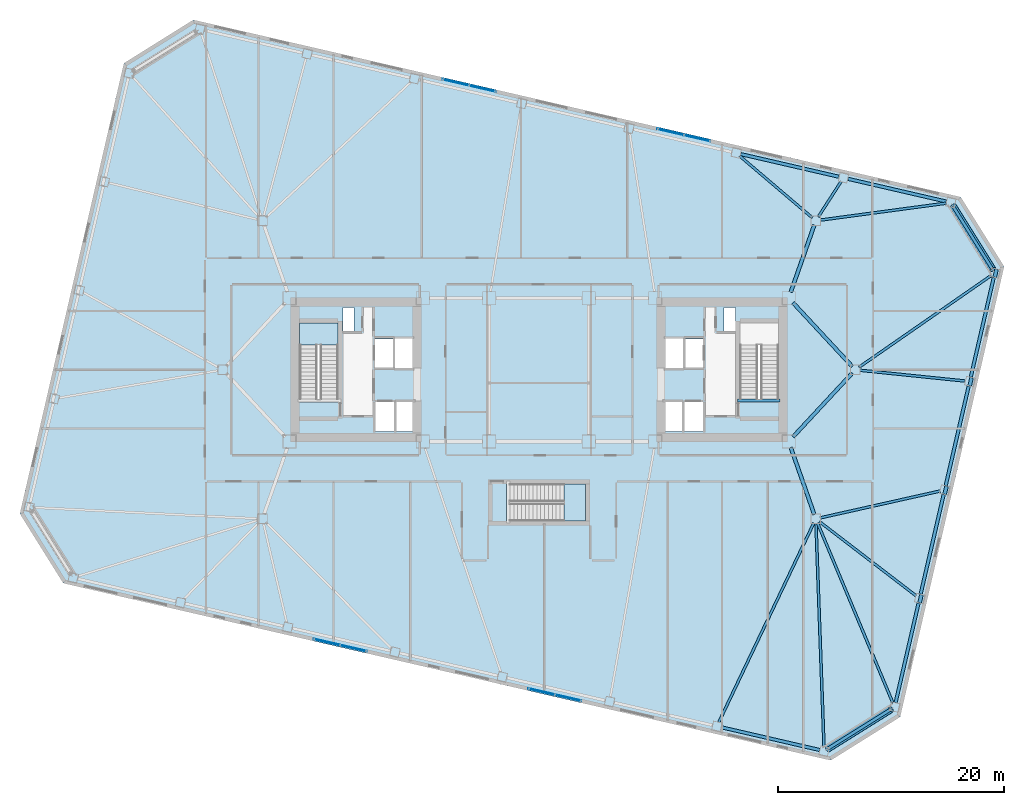
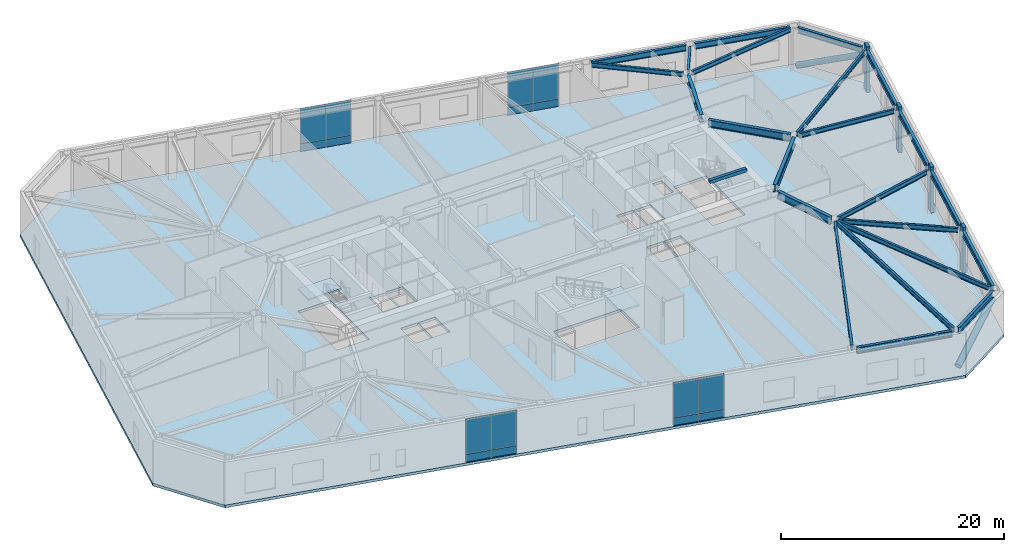
# One storey, part 8 of 20: 24 beams, 16 plates, 6 members, 3 slabs, 6 elements without a shape of their own.
"""IFC4 building model written with IfcOpenShell, lengths in metres."""

from ifc_helpers import new_model, si_unit, direction, frame, origin, origin_2d, place, context, subcontext, project, spatial, polyline, rectangle, hollow_circle, i_section, outline, extrude, material, layer, layer_set, material_profile, profile_set, type_object, element, aggregate, save


model = new_model("IFC4")

# Units and contexts
model_context = context("Model", 3, precision=1e-05, world=origin(), true_north=direction((0.0, 1.0)))
body_context = subcontext(model_context, "Body", "Model", "MODEL_VIEW")
ifc_project = project(units=[si_unit("LENGTHUNIT", "METRE"), si_unit("AREAUNIT", "SQUARE_METRE"), si_unit("VOLUMEUNIT", "CUBIC_METRE"), si_unit("PLANEANGLEUNIT", "RADIAN"), si_unit("MASSUNIT", "GRAM", prefix="KILO")], contexts=[model_context])

# Site, building, storey
site_placement = place(None, origin())
site = spatial("IfcSite", under=ifc_project, at=site_placement, CompositionType="ELEMENT")
building_placement = place(site_placement, origin())
building = spatial("IfcBuilding", under=site, at=building_placement, Name="Tavrogorsk Clinical Tower", CompositionType="ELEMENT")
storey_placement = place(building_placement, frame((0.0, 0.0, 23.39990234375)))
storey = spatial("IfcBuildingStorey", under=building, at=storey_placement, Name="L04", CompositionType="ELEMENT", Elevation=23.39990234375)

# Members
ifc_material_1 = material(Name="Structural steel S440", Category="steel")
ifc_material_profile_1 = material_profile(ifc_material_1, hollow_circle(Radius=0.304931640625, WallThickness=0.02490234375, at=origin_2d()), Name="CHS-610x25")
ifc_profile_set_1 = profile_set([ifc_material_profile_1], Name="Structural steel S440")
member_type_1 = type_object("IfcMemberType", Name="ExoBrace_CHS610", PredefinedType="BRACE", material=ifc_profile_set_1)
for number, where, z_axis, x_axis, name in (
    (1, (25.548828125, -33.5634765625, 0.4833984375), (0.757555520621, 0.473389900336, 0.449457045152), (-0.529932687483, 0.848039708231, 0.0), "L04 Corner Exoskeleton Brace S8-E1"),
    (2, (36.64453125, 14.496826171875, 0.4833984375), (0.473389900336, -0.757555520621, 0.449457045152), (0.848039708231, 0.529932687483, 0.0), "L04 Corner Exoskeleton Brace E5-N1"),
):
    element("IfcMember", number, at=place(storey_placement, frame(where, z_axis=z_axis, x_axis=x_axis)), inside=storey, type_object=member_type_1, Name=name, PredefinedType="BRACE", context=body_context, shape_type="SweptSolid", body=[
        extrude(hollow_circle(Radius=0.304931640625, WallThickness=0.02490234375, at=origin_2d()), origin(), (0.0, 0.0, 1.0), 7.416259765625),
    ])

# Beams
ifc_material_2 = material(Name="Structural steel S355", Category="steel")
ifc_material_profile_2 = material_profile(ifc_material_2, i_section(OverallWidth=0.219970703125, OverallDepth=0.5, WebThickness=0.012939453125, FlangeThickness=0.02001953125, at=origin_2d()), Name="B-500x220x13x20")
ifc_profile_set_2 = profile_set([ifc_material_profile_2], Name="Structural steel S355")
beam_type_1 = type_object("IfcBeamType", Name="FloorBeam_B500", PredefinedType="BEAM", material=ifc_profile_set_2)
beam_1_placement = place(storey_placement, frame((24.323486328125, -13.570068359375, 4.4501953125), z_axis=(-0.430503237889, -0.90258903282, 0.0), x_axis=(0.90258903282, -0.430503237889, 0.0)))
element("IfcBeam", 3, at=beam_1_placement, inside=storey, type_object=beam_type_1, Name="L04 Radial Floor Beam S7", PredefinedType="BEAM", context=body_context, shape_type="SweptSolid", body=[
    extrude(i_section(OverallWidth=0.219970703125, OverallDepth=0.5, WebThickness=0.012939453125, FlangeThickness=0.02001953125, at=origin_2d()), origin(), (0.0, 0.0, 1.0), 19.527587890625),
])
beam_2_placement = place(storey_placement, frame((24.5146484375, -13.609619140625, 4.4501953125), z_axis=(0.035968399295, -0.999352927775, 0.0), x_axis=(0.999352927775, 0.035968399295, 0.0)))
element("IfcBeam", 4, at=beam_2_placement, inside=storey, type_object=beam_type_1, Name="L04 Radial Floor Beam S8", PredefinedType="BEAM", context=body_context, shape_type="SweptSolid", body=[
    extrude(i_section(OverallWidth=0.219970703125, OverallDepth=0.5, WebThickness=0.012939453125, FlangeThickness=0.02001953125, at=origin_2d()), origin(), (0.0, 0.0, 1.0), 19.751953125),
])
beam_3_placement = place(storey_placement, frame((24.90625, 13.254638671875, 4.4501953125), z_axis=(0.991091561022, 0.133182272357, 0.0), x_axis=(-0.133182272357, 0.991091561022, 0.0)))
element("IfcBeam", 5, at=beam_3_placement, inside=storey, type_object=beam_type_1, Name="L04 Radial Floor Beam N1", PredefinedType="BEAM", context=body_context, shape_type="SweptSolid", body=[
    extrude(i_section(OverallWidth=0.219970703125, OverallDepth=0.5, WebThickness=0.012939453125, FlangeThickness=0.02001953125, at=origin_2d()), origin(), (0.0, 0.0, 1.0), 11.24072265625),
])
beam_4_placement = place(storey_placement, frame((24.722412109375, 13.54443359375, 4.4501953125), z_axis=(0.54237908978, 0.840133872052, 0.0), x_axis=(-0.840133872052, 0.54237908978, 0.0)))
element("IfcBeam", 6, at=beam_4_placement, inside=storey, type_object=beam_type_1, Name="L04 Radial Floor Beam N2", PredefinedType="BEAM", context=body_context, shape_type="SweptSolid", body=[
    extrude(i_section(OverallWidth=0.219970703125, OverallDepth=0.5, WebThickness=0.012939453125, FlangeThickness=0.02001953125, at=origin_2d()), origin(), (0.0, 0.0, 1.0), 3.70361328125),
])
beam_5_placement = place(storey_placement, frame((24.187744140625, 13.465576171875, 4.4501953125), z_axis=(-0.761805700094, 0.647805584496, 0.0), x_axis=(-0.647805584496, -0.761805700094, 0.0)))
element("IfcBeam", 7, at=beam_5_placement, inside=storey, type_object=beam_type_1, Name="L04 Radial Floor Beam N3", PredefinedType="BEAM", context=body_context, shape_type="SweptSolid", body=[
    extrude(i_section(OverallWidth=0.219970703125, OverallDepth=0.5, WebThickness=0.012939453125, FlangeThickness=0.02001953125, at=origin_2d()), origin(), (0.0, 0.0, 1.0), 8.431396484375),
])
beam_6_placement = place(storey_placement, frame((24.658447265625, -13.578125, 4.4501953125), z_axis=(0.386243430459, -0.922396884441, 0.0), x_axis=(0.922396884441, 0.386243430459, 0.0)))
element("IfcBeam", 8, at=beam_6_placement, inside=storey, type_object=beam_type_1, Name="L04 Radial Floor Beam E1", PredefinedType="BEAM", context=body_context, shape_type="SweptSolid", body=[
    extrude(i_section(OverallWidth=0.219970703125, OverallDepth=0.5, WebThickness=0.012939453125, FlangeThickness=0.02001953125, at=origin_2d()), origin(), (0.0, 0.0, 1.0), 17.243408203125),
])
beam_7_placement = place(storey_placement, frame((24.825439453125, -13.449462890625, 4.4501953125), z_axis=(0.7934457884, -0.608640929342, 0.0), x_axis=(0.608640929342, 0.7934457884, 0.0)))
element("IfcBeam", 9, at=beam_7_placement, inside=storey, type_object=beam_type_1, Name="L04 Radial Floor Beam E2", PredefinedType="BEAM", context=body_context, shape_type="SweptSolid", body=[
    extrude(i_section(OverallWidth=0.219970703125, OverallDepth=0.5, WebThickness=0.012939453125, FlangeThickness=0.02001953125, at=origin_2d()), origin(), (0.0, 0.0, 1.0), 10.769287109375),
])
beam_8_placement = place(storey_placement, frame((24.900146484375, -13.1103515625, 4.4501953125), z_axis=(0.975844140255, 0.218467878484, 0.0), x_axis=(-0.218467878484, 0.975844140255, 0.0)))
element("IfcBeam", 10, at=beam_8_placement, inside=storey, type_object=beam_type_1, Name="L04 Radial Floor Beam E3", PredefinedType="BEAM", context=body_context, shape_type="SweptSolid", body=[
    extrude(i_section(OverallWidth=0.219970703125, OverallDepth=0.5, WebThickness=0.012939453125, FlangeThickness=0.02001953125, at=origin_2d()), origin(), (0.0, 0.0, 1.0), 10.876708984375),
])
beam_9_placement = place(storey_placement, frame((28.407958984375, -0.041748046875, 4.4501953125), z_axis=(0.994791610226, -0.101929643501, 0.0), x_axis=(0.101929643501, 0.994791610226, 0.0)))
element("IfcBeam", 11, at=beam_9_placement, inside=storey, type_object=beam_type_1, Name="L04 Radial Floor Beam E4", PredefinedType="BEAM", context=body_context, shape_type="SweptSolid", body=[
    extrude(i_section(OverallWidth=0.219970703125, OverallDepth=0.5, WebThickness=0.012939453125, FlangeThickness=0.02001953125, at=origin_2d()), origin(), (0.0, 0.0, 1.0), 9.365234375),
])
beam_10_placement = place(storey_placement, frame((28.3369140625, 0.233642578125, 4.4501953125), z_axis=(0.82154295725, 0.570146620961, 0.0), x_axis=(-0.570146620961, 0.82154295725, 0.0)))
element("IfcBeam", 12, at=beam_10_placement, inside=storey, type_object=beam_type_1, Name="L04 Radial Floor Beam E5", PredefinedType="BEAM", context=body_context, shape_type="SweptSolid", body=[
    extrude(i_section(OverallWidth=0.219970703125, OverallDepth=0.5, WebThickness=0.012939453125, FlangeThickness=0.02001953125, at=origin_2d()), origin(), (0.0, 0.0, 1.0), 14.212646484375),
])

# Members
ifc_material_3 = material(Name="Precast concrete B45 with limestone cladding", Category="masonry")
ifc_material_profile_3 = material_profile(ifc_material_3, rectangle(XDim=0.320068359375, YDim=0.719970703125, at=origin_2d()), Name="LIMESTONE-FIN-320x720")
ifc_profile_set_3 = profile_set([ifc_material_profile_3], Name="Precast concrete B45 with limestone cladding")
member_type_2 = type_object("IfcMemberType", Name="LimestonePleatFin_320x720", PredefinedType="USERDEFINED", material=ifc_profile_set_3)
for number, where, z_axis, x_axis, name in (
    (13, (33.772216796875, -20.2705078125, 0.0), (0.0, 0.0, 1.0), (0.974370064785, -0.224951054344, 0.0), "L04 E Pleated Stone Fin 1"),
    (14, (35.990234375, -10.6630859375, 0.0), (0.0, 0.0, 1.0), (0.974370064785, -0.224951054344, 0.0), "L04 E Pleated Stone Fin 2"),
    (15, (38.208251953125, -1.055908203125, 0.0), (0.0, 0.0, 1.0), (0.974370064785, -0.224951054344, 0.0), "L04 E Pleated Stone Fin 3"),
    (16, (40.42626953125, 8.551513671875, 0.0), (0.0, 0.0, 1.0), (0.974370064785, -0.224951054344, 0.0), "L04 E Pleated Stone Fin 4"),
):
    element("IfcMember", number, at=place(storey_placement, frame(where, z_axis=z_axis, x_axis=x_axis)), inside=storey, type_object=member_type_2, Name=name, ObjectType="FIN", PredefinedType="USERDEFINED", context=body_context, shape_type="SweptSolid", body=[
        extrude(rectangle(XDim=0.320068359375, YDim=0.719970703125, at=origin_2d()), origin(), (0.0, 0.0, 1.0), 5.0),
    ])

# Beams
ifc_material_4 = material(Name="Structural steel S390", Category="steel")
ifc_material_profile_4 = material_profile(ifc_material_4, i_section(OverallWidth=0.320068359375, OverallDepth=0.800048828125, WebThickness=0.02001953125, FlangeThickness=0.033935546875, at=origin_2d()), Name="B-800x320x20x34")
ifc_profile_set_4 = profile_set([ifc_material_profile_4], Name="Structural steel S390")
beam_type_2 = type_object("IfcBeamType", Name="PrimaryGirder_B800", PredefinedType="USERDEFINED", material=ifc_profile_set_4)
for number, where, z_axis, x_axis, name in (
    (17, (24.364501953125, -12.81298828125, 4.300048828125), (-0.330668611543, 0.943746930771, 0.0), (-0.943746930771, -0.330668611543, 0.0), "L04 Spine Link Girder OPG-2"),
    (18, (24.364501953125, 12.81298828125, 4.300048828125), (-0.330668611543, -0.943746930771, 0.0), (0.943746930771, -0.330668611543, 0.0), "L04 Spine Link Girder OPG-4"),
):
    element("IfcBeam", number, at=place(storey_placement, frame(where, z_axis=z_axis, x_axis=x_axis)), inside=storey, type_object=beam_type_2, Name=name, ObjectType="GIRDER", PredefinedType="USERDEFINED", context=body_context, shape_type="SweptSolid", body=[
        extrude(i_section(OverallWidth=0.320068359375, OverallDepth=0.800048828125, WebThickness=0.02001953125, FlangeThickness=0.033935546875, at=origin_2d()), origin(), (0.0, 0.0, 1.0), 6.288330078125),
    ])
for number, where, z_axis, x_axis, name in (
    (19, (27.720947265625, -0.30029296875, 4.300048828125), (-0.680671250221, -0.732589004233, 0.0), (0.732589004233, -0.680671250221, 0.0), "L04 Spine Link Girder OPG-7"),
    (20, (27.720947265625, 0.30029296875, 4.300048828125), (-0.680671250221, 0.732589004233, 0.0), (-0.732589004233, -0.680671250221, 0.0), "L04 Spine Link Girder OPG-8"),
):
    element("IfcBeam", number, at=place(storey_placement, frame(where, z_axis=z_axis, x_axis=x_axis)), inside=storey, type_object=beam_type_2, Name=name, ObjectType="GIRDER", PredefinedType="USERDEFINED", context=body_context, shape_type="SweptSolid", body=[
        extrude(i_section(OverallWidth=0.320068359375, OverallDepth=0.800048828125, WebThickness=0.02001953125, FlangeThickness=0.033935546875, at=origin_2d()), origin(), (0.0, 0.0, 1.0), 7.697998046875),
    ])
ifc_material_5 = material(Name="Structural steel S390", Category="steel")
ifc_material_profile_5 = material_profile(ifc_material_5, i_section(OverallWidth=0.280029296875, OverallDepth=0.64990234375, WebThickness=0.01611328125, FlangeThickness=0.02490234375, at=origin_2d()), Name="B-650x280x16x25")
ifc_profile_set_5 = profile_set([ifc_material_profile_5], Name="Structural steel S390")
beam_type_3 = type_object("IfcBeamType", Name="SpandrelBeam_B650", PredefinedType="SPANDREL", material=ifc_profile_set_5)
beam_11_placement = place(storey_placement, frame((16.138427734375, -31.655517578125, 4.375), z_axis=(0.974372766602, -0.224939351168, 0.0), x_axis=(0.224939351168, 0.974372766602, 0.0)))
element("IfcBeam", 21, at=beam_11_placement, inside=storey, type_object=beam_type_3, Name="L04 Perimeter Spandrel S7-S8", PredefinedType="SPANDREL", context=body_context, shape_type="SweptSolid", body=[
    extrude(i_section(OverallWidth=0.280029296875, OverallDepth=0.64990234375, WebThickness=0.01611328125, FlangeThickness=0.02490234375, at=origin_2d()), origin(), (0.0, 0.0, 1.0), 8.9326171875),
])
beam_12_placement = place(storey_placement, frame((25.585693359375, -33.540283203125, 4.375), z_axis=(0.848061235793, 0.529898235839, 0.0), x_axis=(-0.529898235839, 0.848061235793, 0.0)))
element("IfcBeam", 22, at=beam_12_placement, inside=storey, type_object=beam_type_3, Name="L04 Perimeter Spandrel S8-E1", PredefinedType="SPANDREL", context=body_context, shape_type="SweptSolid", body=[
    extrude(i_section(OverallWidth=0.280029296875, OverallDepth=0.64990234375, WebThickness=0.01611328125, FlangeThickness=0.02490234375, at=origin_2d()), origin(), (0.0, 0.0, 1.0), 6.537841796875),
])
beam_13_placement = place(storey_placement, frame((31.56787109375, -29.462158203125, 4.375), z_axis=(0.224971881043, 0.974365256328, 0.0), x_axis=(-0.974365256328, 0.224971881043, 0.0)))
element("IfcBeam", 23, at=beam_13_placement, inside=storey, type_object=beam_type_3, Name="L04 Perimeter Spandrel E1-E2", PredefinedType="SPANDREL", context=body_context, shape_type="SweptSolid", body=[
    extrude(i_section(OverallWidth=0.280029296875, OverallDepth=0.64990234375, WebThickness=0.01611328125, FlangeThickness=0.02490234375, at=origin_2d()), origin(), (0.0, 0.0, 1.0), 9.044189453125),
])
for number, where, z_axis, x_axis, name in (
    (24, (33.785888671875, -19.85498046875, 4.375), (0.224946252597, 0.974371173343, 0.0), (-0.974371173343, 0.224946252597, 0.0), "L04 Perimeter Spandrel E2-E3"),
    (25, (36.00390625, -10.24755859375, 4.375), (0.224946252597, 0.974371173343, 0.0), (-0.974371173343, 0.224946252597, 0.0), "L04 Perimeter Spandrel E3-E4"),
):
    element("IfcBeam", number, at=place(storey_placement, frame(where, z_axis=z_axis, x_axis=x_axis)), inside=storey, type_object=beam_type_3, Name=name, PredefinedType="SPANDREL", context=body_context, shape_type="SweptSolid", body=[
        extrude(i_section(OverallWidth=0.280029296875, OverallDepth=0.64990234375, WebThickness=0.01611328125, FlangeThickness=0.02490234375, at=origin_2d()), origin(), (0.0, 0.0, 1.0), 9.0439453125),
    ])
beam_14_placement = place(storey_placement, frame((38.221923828125, -0.640380859375, 4.375), z_axis=(0.224971881043, 0.974365256328, 0.0), x_axis=(-0.974365256328, 0.224971881043, 0.0)))
element("IfcBeam", 26, at=beam_14_placement, inside=storey, type_object=beam_type_3, Name="L04 Perimeter Spandrel E4-E5", PredefinedType="SPANDREL", context=body_context, shape_type="SweptSolid", body=[
    extrude(i_section(OverallWidth=0.280029296875, OverallDepth=0.64990234375, WebThickness=0.01611328125, FlangeThickness=0.02490234375, at=origin_2d()), origin(), (0.0, 0.0, 1.0), 9.044189453125),
])
beam_15_placement = place(storey_placement, frame((40.132080078125, 8.91552734375, 4.375), z_axis=(-0.529925092475, 0.848044454239, 0.0), x_axis=(-0.848044454239, -0.529925092475, 0.0)))
element("IfcBeam", 27, at=beam_15_placement, inside=storey, type_object=beam_type_3, Name="L04 Perimeter Spandrel E5-N1", PredefinedType="SPANDREL", context=body_context, shape_type="SweptSolid", body=[
    extrude(i_section(OverallWidth=0.280029296875, OverallDepth=0.64990234375, WebThickness=0.01611328125, FlangeThickness=0.02490234375, at=origin_2d()), origin(), (0.0, 0.0, 1.0), 6.537841796875),
])
for number, where, z_axis, x_axis, name in (
    (28, (36.0537109375, 14.897705078125, 4.375), (-0.974366775889, 0.224965299645, 0.0), (-0.224965299645, -0.974366775889, 0.0), "L04 Perimeter Spandrel N1-N2"),
    (29, (26.554931640625, 17.090576171875, 4.375), (-0.974366775889, 0.224965299645, 0.0), (-0.224965299645, -0.974366775889, 0.0), "L04 Perimeter Spandrel N2-N3"),
):
    element("IfcBeam", number, at=place(storey_placement, frame(where, z_axis=z_axis, x_axis=x_axis)), inside=storey, type_object=beam_type_3, Name=name, PredefinedType="SPANDREL", context=body_context, shape_type="SweptSolid", body=[
        extrude(i_section(OverallWidth=0.280029296875, OverallDepth=0.64990234375, WebThickness=0.01611328125, FlangeThickness=0.02490234375, at=origin_2d()), origin(), (0.0, 0.0, 1.0), 8.9326171875),
    ])
ifc_material_6 = material(Name="Concrete B60", Category="concrete")
ifc_material_profile_6 = material_profile(ifc_material_6, rectangle(XDim=0.300048828125, YDim=0.35009765625, at=origin_2d()), Name="RC-SHB-300x350")
ifc_profile_set_6 = profile_set([ifc_material_profile_6], Name="Concrete B60")
beam_type_4 = type_object("IfcBeamType", Name="StairHeaderBeam_RC300x350", PredefinedType="BEAM", material=ifc_profile_set_6)
beam_16_placement = place(storey_placement, frame((17.550048828125, -2.719970703125, 4.8251953125), z_axis=(1.0, 0.0, 0.0), x_axis=(0.0, 1.0, 0.0)))
element("IfcBeam", 30, at=beam_16_placement, inside=storey, type_object=beam_type_4, Name="L05 ST-E Landing Header Beam", PredefinedType="BEAM", context=body_context, shape_type="SweptSolid", body=[
    extrude(rectangle(XDim=0.300048828125, YDim=0.35009765625, at=origin_2d()), origin(), (0.0, 0.0, 1.0), 3.800048828125),
])

# Curtain wall, plates
ifc_material_7 = material(Name="Anodised aluminium and triple IGU glazing", Category="aluminium")
ifc_layer_1 = layer(ifc_material_7, 0.179931640625)
ifc_layer_set_1 = layer_set([ifc_layer_1], Name="Anodised aluminium and triple IGU glazing")
curtain_wall_type_1 = type_object("IfcCurtainWallType", Name="CW3_SouthSlot", PredefinedType="NOTDEFINED", material=ifc_layer_set_1)
curtain_wall_1_placement = place(storey_placement, origin())
curtain_wall_1 = element("IfcCurtainWall", 31, at=curtain_wall_1_placement, inside=storey, type_object=curtain_wall_type_1, Name="L04 Curtain Wall CW-L04-S-SLOT-1", PredefinedType="NOTDEFINED")
ifc_material_8 = material(Name="Honed Podolsk limestone spandrel panel", Category="masonry")
ifc_layer_2 = layer(ifc_material_8, 0.080078125)
ifc_layer_set_2 = layer_set([ifc_layer_2], Name="Honed Podolsk limestone spandrel panel")
plate_type_1 = type_object("IfcPlateType", Name="CwSpandrelStonePanel_80", PredefinedType="CURTAIN_PANEL", material=ifc_layer_set_2)
plate_1_placement = place(storey_placement, frame((-18.79638671875, -24.113525390625, 0.002197265625), z_axis=(0.0, 0.0, 1.0), x_axis=(0.974370046851, -0.224951132027, 0.0)))
plate_1 = element("IfcPlate", 32, at=plate_1_placement, type_object=plate_type_1, Name="CW-L04-S-SLOT-1 Stone Spandrel Panel 1", PredefinedType="CURTAIN_PANEL", context=body_context, shape_type="SweptSolid", body=[
    extrude(rectangle(XDim=2.39208984375, YDim=0.080078125, at=origin_2d()), origin(), (0.0, 0.0, 1.0), 0.8359375),
])
plate_2_placement = place(storey_placement, frame((-16.442138671875, -24.656982421875, 0.002197265625), z_axis=(0.0, 0.0, 1.0), x_axis=(0.974370046851, -0.224951132027, 0.0)))
plate_2 = element("IfcPlate", 33, at=plate_2_placement, type_object=plate_type_1, Name="CW-L04-S-SLOT-1 Stone Spandrel Panel 2", PredefinedType="CURTAIN_PANEL", context=body_context, shape_type="SweptSolid", body=[
    extrude(rectangle(XDim=2.39208984375, YDim=0.080078125, at=origin_2d()), origin(), (0.0, 0.0, 1.0), 0.8359375),
])

curtain_wall_2_placement = place(storey_placement, origin())
curtain_wall_2 = element("IfcCurtainWall", 34, at=curtain_wall_2_placement, inside=storey, type_object=curtain_wall_type_1, Name="L04 Curtain Wall CW-L04-S-SLOT-2", PredefinedType="NOTDEFINED")
plate_3_placement = place(storey_placement, frame((0.201171875, -28.49951171875, 0.002197265625), z_axis=(0.0, 0.0, 1.0), x_axis=(0.974370102963, -0.224950888978, 0.0)))
plate_3 = element("IfcPlate", 35, at=plate_3_placement, type_object=plate_type_1, Name="CW-L04-S-SLOT-2 Stone Spandrel Panel 1", PredefinedType="CURTAIN_PANEL", context=body_context, shape_type="SweptSolid", body=[
    extrude(rectangle(XDim=2.39208984375, YDim=0.080078125, at=origin_2d()), origin(), (0.0, 0.0, 1.0), 0.8359375),
])
plate_4_placement = place(storey_placement, frame((2.55517578125, -29.04296875, 0.002197265625), z_axis=(0.0, 0.0, 1.0), x_axis=(0.974370102963, -0.224950888978, 0.0)))
plate_4 = element("IfcPlate", 36, at=plate_4_placement, type_object=plate_type_1, Name="CW-L04-S-SLOT-2 Stone Spandrel Panel 2", PredefinedType="CURTAIN_PANEL", context=body_context, shape_type="SweptSolid", body=[
    extrude(rectangle(XDim=2.39208984375, YDim=0.080078125, at=origin_2d()), origin(), (0.0, 0.0, 1.0), 0.8359375),
])

ifc_material_9 = material(Name="Anodised aluminium and triple IGU glazing", Category="aluminium")
ifc_layer_3 = layer(ifc_material_9, 0.179931640625)
ifc_layer_set_3 = layer_set([ifc_layer_3], Name="Anodised aluminium and triple IGU glazing")
curtain_wall_type_2 = type_object("IfcCurtainWallType", Name="CW2_NorthSlot", PredefinedType="NOTDEFINED", material=ifc_layer_set_3)
curtain_wall_3_placement = place(storey_placement, origin())
curtain_wall_3 = element("IfcCurtainWall", 37, at=curtain_wall_3_placement, inside=storey, type_object=curtain_wall_type_2, Name="L04 Curtain Wall CW-L04-N-SLOT-1", PredefinedType="NOTDEFINED")
plate_5_placement = place(storey_placement, frame((-5.001220703125, 24.8994140625, 0.002197265625), z_axis=(0.0, 0.0, 1.0), x_axis=(-0.974370102963, 0.224950888978, 0.0)))
plate_5 = element("IfcPlate", 38, at=plate_5_placement, type_object=plate_type_1, Name="CW-L04-N-SLOT-1 Stone Spandrel Panel 1", PredefinedType="CURTAIN_PANEL", context=body_context, shape_type="SweptSolid", body=[
    extrude(rectangle(XDim=2.39208984375, YDim=0.080078125, at=origin_2d()), origin(), (0.0, 0.0, 1.0), 0.8359375),
])
plate_6_placement = place(storey_placement, frame((-7.355224609375, 25.44287109375, 0.002197265625), z_axis=(0.0, 0.0, 1.0), x_axis=(-0.974370102963, 0.224950888978, 0.0)))
plate_6 = element("IfcPlate", 39, at=plate_6_placement, type_object=plate_type_1, Name="CW-L04-N-SLOT-1 Stone Spandrel Panel 2", PredefinedType="CURTAIN_PANEL", context=body_context, shape_type="SweptSolid", body=[
    extrude(rectangle(XDim=2.39208984375, YDim=0.080078125, at=origin_2d()), origin(), (0.0, 0.0, 1.0), 0.8359375),
])

curtain_wall_4_placement = place(storey_placement, origin())
curtain_wall_4 = element("IfcCurtainWall", 40, at=curtain_wall_4_placement, inside=storey, type_object=curtain_wall_type_2, Name="L04 Curtain Wall CW-L04-N-SLOT-2", PredefinedType="NOTDEFINED")
plate_7_placement = place(storey_placement, frame((13.996337890625, 20.513427734375, 0.002197265625), z_axis=(0.0, 0.0, 1.0), x_axis=(-0.974370046851, 0.224951132027, 0.0)))
plate_7 = element("IfcPlate", 41, at=plate_7_placement, type_object=plate_type_1, Name="CW-L04-N-SLOT-2 Stone Spandrel Panel 1", PredefinedType="CURTAIN_PANEL", context=body_context, shape_type="SweptSolid", body=[
    extrude(rectangle(XDim=2.39208984375, YDim=0.080078125, at=origin_2d()), origin(), (0.0, 0.0, 1.0), 0.8359375),
])
plate_8_placement = place(storey_placement, frame((11.642333984375, 21.05712890625, 0.002197265625), z_axis=(0.0, 0.0, 1.0), x_axis=(-0.974370046851, 0.224951132027, 0.0)))
plate_8 = element("IfcPlate", 42, at=plate_8_placement, type_object=plate_type_1, Name="CW-L04-N-SLOT-2 Stone Spandrel Panel 2", PredefinedType="CURTAIN_PANEL", context=body_context, shape_type="SweptSolid", body=[
    extrude(rectangle(XDim=2.39208984375, YDim=0.080078125, at=origin_2d()), origin(), (0.0, 0.0, 1.0), 0.8359375),
])

# Plate
ifc_material_10 = material(Name="Triple low-E argon insulated glass", Category="glass")
ifc_layer_4 = layer(ifc_material_10, 0.048095703125)
ifc_layer_set_4 = layer_set([ifc_layer_4], Name="Triple low-E argon insulated glass")
plate_type_2 = type_object("IfcPlateType", Name="CwVisionGlassPanel_48", PredefinedType="CURTAIN_PANEL", material=ifc_layer_set_4)
plate_9_placement = place(storey_placement, frame((-18.79638671875, -24.113525390625, 0.862060546875), z_axis=(0.0, 0.0, 1.0), x_axis=(0.974370046851, -0.224951132027, 0.0)))
plate_9 = element("IfcPlate", 43, at=plate_9_placement, type_object=plate_type_2, Name="CW-L04-S-SLOT-1 Glazing Panel 1", PredefinedType="CURTAIN_PANEL", context=body_context, shape_type="SweptSolid", body=[
    extrude(rectangle(XDim=2.39208984375, YDim=0.048095703125, at=origin_2d()), origin(), (0.0, 0.0, 1.0), 3.8359375),
])

plate_10_placement = place(storey_placement, frame((-16.442138671875, -24.656982421875, 0.862060546875), z_axis=(0.0, 0.0, 1.0), x_axis=(0.974370046851, -0.224951132027, 0.0)))
plate_10 = element("IfcPlate", 44, at=plate_10_placement, type_object=plate_type_2, Name="CW-L04-S-SLOT-1 Glazing Panel 2", PredefinedType="CURTAIN_PANEL", context=body_context, shape_type="SweptSolid", body=[
    extrude(rectangle(XDim=2.39208984375, YDim=0.048095703125, at=origin_2d()), origin(), (0.0, 0.0, 1.0), 3.8359375),
])

aggregate(curtain_wall_1, [plate_1, plate_9, plate_2, plate_10])

plate_11_placement = place(storey_placement, frame((0.201171875, -28.49951171875, 0.862060546875), z_axis=(0.0, 0.0, 1.0), x_axis=(0.974370102963, -0.224950888978, 0.0)))
plate_11 = element("IfcPlate", 45, at=plate_11_placement, type_object=plate_type_2, Name="CW-L04-S-SLOT-2 Glazing Panel 1", PredefinedType="CURTAIN_PANEL", context=body_context, shape_type="SweptSolid", body=[
    extrude(rectangle(XDim=2.39208984375, YDim=0.048095703125, at=origin_2d()), origin(), (0.0, 0.0, 1.0), 3.8359375),
])

plate_12_placement = place(storey_placement, frame((2.55517578125, -29.04296875, 0.862060546875), z_axis=(0.0, 0.0, 1.0), x_axis=(0.974370102963, -0.224950888978, 0.0)))
plate_12 = element("IfcPlate", 46, at=plate_12_placement, type_object=plate_type_2, Name="CW-L04-S-SLOT-2 Glazing Panel 2", PredefinedType="CURTAIN_PANEL", context=body_context, shape_type="SweptSolid", body=[
    extrude(rectangle(XDim=2.39208984375, YDim=0.048095703125, at=origin_2d()), origin(), (0.0, 0.0, 1.0), 3.8359375),
])

aggregate(curtain_wall_2, [plate_3, plate_11, plate_4, plate_12])

plate_13_placement = place(storey_placement, frame((-5.001220703125, 24.8994140625, 0.862060546875), z_axis=(0.0, 0.0, 1.0), x_axis=(-0.974370102963, 0.224950888978, 0.0)))
plate_13 = element("IfcPlate", 47, at=plate_13_placement, type_object=plate_type_2, Name="CW-L04-N-SLOT-1 Glazing Panel 1", PredefinedType="CURTAIN_PANEL", context=body_context, shape_type="SweptSolid", body=[
    extrude(rectangle(XDim=2.39208984375, YDim=0.048095703125, at=origin_2d()), origin(), (0.0, 0.0, 1.0), 3.8359375),
])

plate_14_placement = place(storey_placement, frame((-7.355224609375, 25.44287109375, 0.862060546875), z_axis=(0.0, 0.0, 1.0), x_axis=(-0.974370102963, 0.224950888978, 0.0)))
plate_14 = element("IfcPlate", 48, at=plate_14_placement, type_object=plate_type_2, Name="CW-L04-N-SLOT-1 Glazing Panel 2", PredefinedType="CURTAIN_PANEL", context=body_context, shape_type="SweptSolid", body=[
    extrude(rectangle(XDim=2.39208984375, YDim=0.048095703125, at=origin_2d()), origin(), (0.0, 0.0, 1.0), 3.8359375),
])

aggregate(curtain_wall_3, [plate_5, plate_13, plate_6, plate_14])

plate_15_placement = place(storey_placement, frame((13.996337890625, 20.513427734375, 0.862060546875), z_axis=(0.0, 0.0, 1.0), x_axis=(-0.974370046851, 0.224951132027, 0.0)))
plate_15 = element("IfcPlate", 49, at=plate_15_placement, type_object=plate_type_2, Name="CW-L04-N-SLOT-2 Glazing Panel 1", PredefinedType="CURTAIN_PANEL", context=body_context, shape_type="SweptSolid", body=[
    extrude(rectangle(XDim=2.39208984375, YDim=0.048095703125, at=origin_2d()), origin(), (0.0, 0.0, 1.0), 3.8359375),
])

plate_16_placement = place(storey_placement, frame((11.642333984375, 21.05712890625, 0.862060546875), z_axis=(0.0, 0.0, 1.0), x_axis=(-0.974370046851, 0.224951132027, 0.0)))
plate_16 = element("IfcPlate", 50, at=plate_16_placement, type_object=plate_type_2, Name="CW-L04-N-SLOT-2 Glazing Panel 2", PredefinedType="CURTAIN_PANEL", context=body_context, shape_type="SweptSolid", body=[
    extrude(rectangle(XDim=2.39208984375, YDim=0.048095703125, at=origin_2d()), origin(), (0.0, 0.0, 1.0), 3.8359375),
])

aggregate(curtain_wall_4, [plate_7, plate_15, plate_8, plate_16])

# Slab
ifc_material_11 = material(Name="Concrete B60", Category="concrete")
ifc_layer_5 = layer(ifc_material_11, 0.300048828125)
ifc_layer_set_5 = layer_set([ifc_layer_5], Name="Concrete B60")
slab_type_1 = type_object("IfcSlabType", Name="PodiumSlab_300", PredefinedType="FLOOR", material=ifc_layer_set_5)
slab_1_placement = place(storey_placement, frame((0.0, 0.0, -0.2998046875)))
element("IfcSlab", 51, at=slab_1_placement, inside=storey, type_object=slab_type_1, Name="L04 Structural Slab", PredefinedType="FLOOR", context=body_context, shape_type="SweptSolid", body=[
    extrude(outline(polyline([(-42.06689453125, -18.91552734375), (25.749267578125, -34.572265625), (31.98583984375, -30.67529296875), (41.163818359375, 9.0791015625), (37.266845703125, 15.315673828125), (-30.54931640625, 30.97216796875), (-36.785888671875, 27.0751953125), (-45.9638671875, -12.67919921875), (-42.06689453125, -18.91552734375)]), holes=[polyline([(-17.800048828125, -2.8798828125), (-17.800048828125, 4.125), (-21.199951171875, 4.125), (-21.199951171875, -2.8798828125), (-17.800048828125, -2.8798828125)]), polyline([(21.199951171875, -2.8798828125), (21.199951171875, 4.125), (17.800048828125, 4.125), (17.800048828125, -2.8798828125), (21.199951171875, -2.8798828125)]), polyline([(-2.8798828125, -13.39990234375), (4.125, -13.39990234375), (4.125, -10.10009765625), (-2.8798828125, -10.10009765625), (-2.8798828125, -13.39990234375)]), polyline([(-14.6201171875, 0.169921875), (-12.860107421875, 0.169921875), (-12.860107421875, 2.72998046875), (-14.6201171875, 2.72998046875), (-14.6201171875, 0.169921875)]), polyline([(-14.530029296875, -5.47998046875), (-12.77001953125, -5.47998046875), (-12.77001953125, -2.820068359375), (-14.530029296875, -2.820068359375), (-14.530029296875, -5.47998046875)]), polyline([(-12.72998046875, -5.47998046875), (-10.969970703125, -5.47998046875), (-10.969970703125, -2.820068359375), (-12.72998046875, -2.820068359375), (-12.72998046875, -5.47998046875)]), polyline([(-12.840087890625, 0.1201171875), (-11.080078125, 0.1201171875), (-11.080078125, 2.780029296875), (-12.840087890625, 2.780029296875), (-12.840087890625, 0.1201171875)]), polyline([(12.860107421875, 0.169921875), (14.6201171875, 0.169921875), (14.6201171875, 2.72998046875), (12.860107421875, 2.72998046875), (12.860107421875, 0.169921875)]), polyline([(12.77001953125, -5.47998046875), (14.530029296875, -5.47998046875), (14.530029296875, -2.820068359375), (12.77001953125, -2.820068359375), (12.77001953125, -5.47998046875)]), polyline([(10.969970703125, -5.47998046875), (12.72998046875, -5.47998046875), (12.72998046875, -2.820068359375), (10.969970703125, -2.820068359375), (10.969970703125, -5.47998046875)]), polyline([(11.080078125, 0.1201171875), (12.840087890625, 0.1201171875), (12.840087890625, 2.780029296875), (11.080078125, 2.780029296875), (11.080078125, 0.1201171875)]), polyline([(-17.3798828125, 3.449951171875), (-16.3798828125, 3.449951171875), (-16.3798828125, 5.5), (-17.3798828125, 5.5), (-17.3798828125, 3.449951171875)]), polyline([(16.3798828125, 3.449951171875), (17.3798828125, 3.449951171875), (17.3798828125, 5.5), (16.3798828125, 5.5), (16.3798828125, 3.449951171875)])]), origin(), (0.0, 0.0, 1.0), 0.2998046875),
])

# Stair, slab
ifc_material_12 = material(Name="Concrete B60", Category="concrete")
stair_type = type_object("IfcStairType", Name="CoreStairAssembly", PredefinedType="HALF_TURN_STAIR", material=ifc_material_12)
stair_1_placement = place(storey_placement, origin())
stair_1 = element("IfcStair", 52, at=stair_1_placement, inside=storey, type_object=stair_type, Name="L04 ST-W", PredefinedType="HALF_TURN_STAIR")
ifc_material_13 = material(Name="Concrete B60", Category="concrete")
ifc_layer_6 = layer(ifc_material_13, 0.199951171875)
ifc_layer_set_6 = layer_set([ifc_layer_6], Name="Concrete B60")
slab_type_2 = type_object("IfcSlabType", Name="StairLanding_200", PredefinedType="LANDING", material=ifc_layer_set_6)
slab_2_placement = place(storey_placement, frame((0.0, 0.0, 2.300048828125)))
slab_2 = element("IfcSlab", 53, at=slab_2_placement, type_object=slab_type_2, Name="ST-W landing 1", PredefinedType="LANDING", context=body_context, shape_type="SweptSolid", body=[
    extrude(outline(polyline([(-17.800048828125, 2.18505859375), (-17.800048828125, 4.125), (-21.199951171875, 4.125), (-21.199951171875, 2.18505859375), (-17.800048828125, 2.18505859375)])), origin(), (0.0, 0.0, 1.0), 0.199951171875),
])
aggregate(stair_1, [slab_2])

stair_2_placement = place(storey_placement, origin())
stair_2 = element("IfcStair", 54, at=stair_2_placement, inside=storey, type_object=stair_type, Name="L04 ST-P", PredefinedType="HALF_TURN_STAIR")
slab_3_placement = place(storey_placement, frame((0.0, 0.0, 2.300048828125)))
slab_3 = element("IfcSlab", 55, at=slab_3_placement, type_object=slab_type_2, Name="ST-P landing 1", PredefinedType="LANDING", context=body_context, shape_type="SweptSolid", body=[
    extrude(outline(polyline([(2.18505859375, -13.39990234375), (4.125, -13.39990234375), (4.125, -10.10009765625), (2.18505859375, -10.10009765625), (2.18505859375, -13.39990234375)])), origin(), (0.0, 0.0, 1.0), 0.199951171875),
])
aggregate(stair_2, [slab_3])

save(model, "model.ifc")
